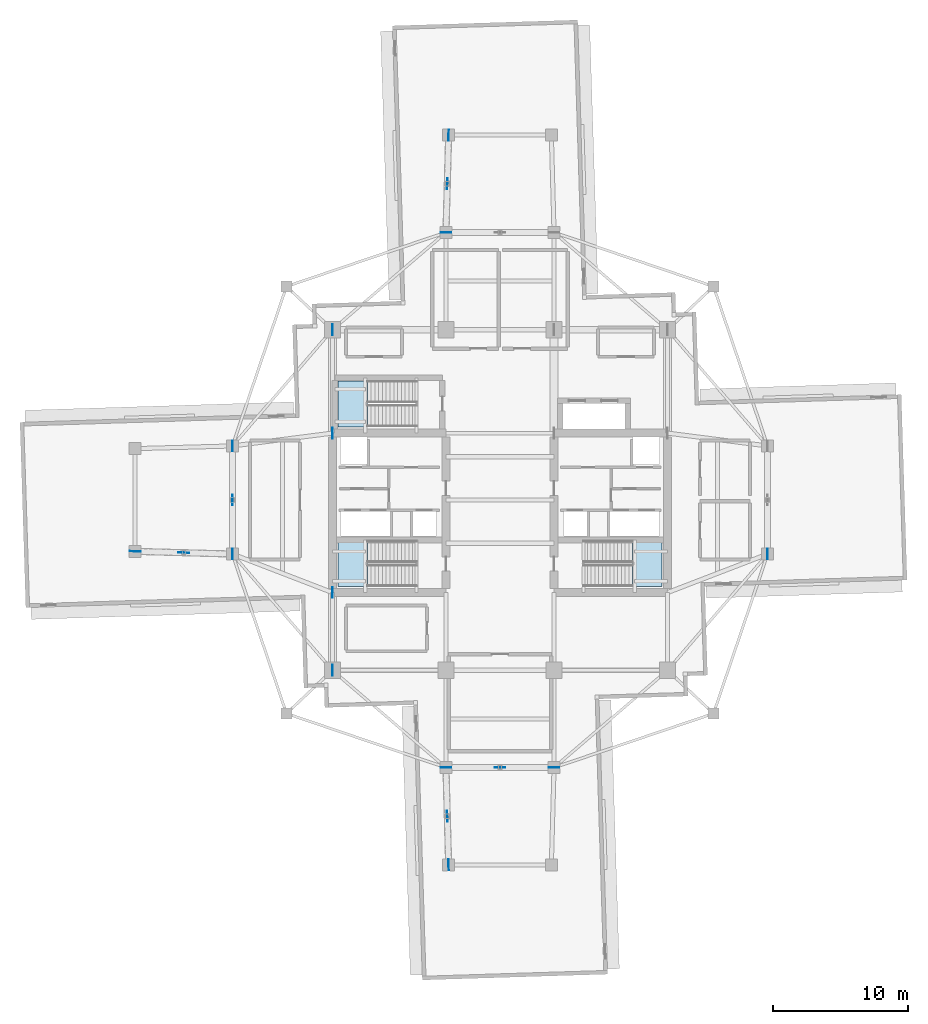
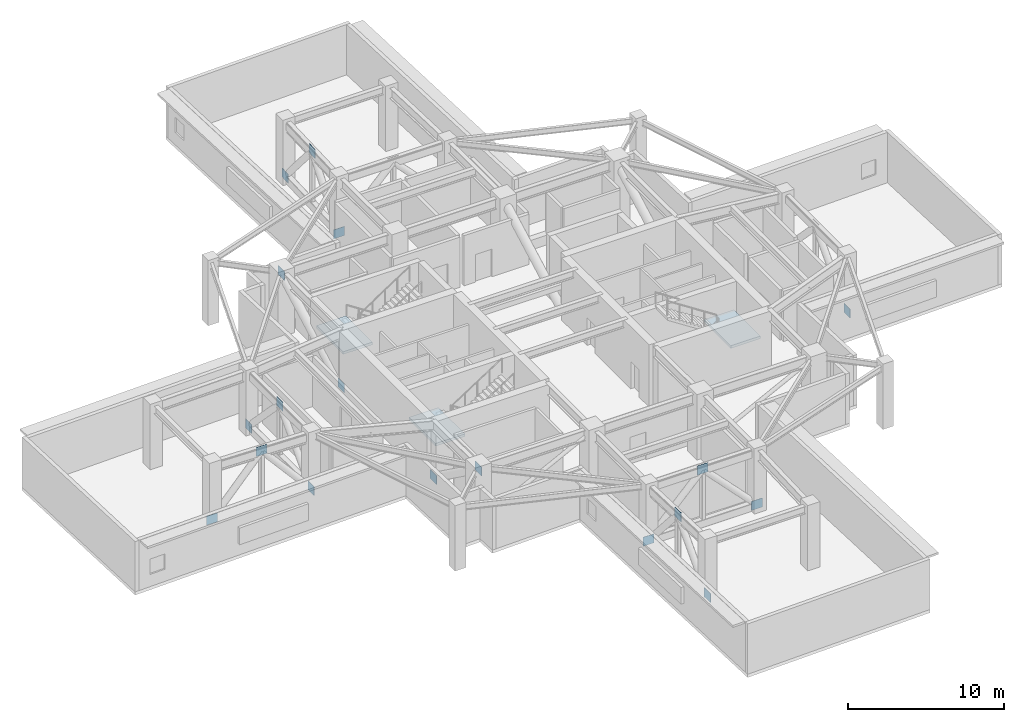
# One storey, part 6 of 17: 18 plates, 3 slabs, 3 elements without a shape of their own.
"""IFC4 building model written with IfcOpenShell, lengths in metres."""

from ifc_helpers import new_model, si_unit, direction, frame, origin, origin_2d, place, context, subcontext, project, spatial, polyline, rectangle, outline, extrude, material, layer, layer_set, type_object, element, aggregate, save


model = new_model("IFC4")

# Units and contexts
model_context = context("Model", 3, precision=1e-05, world=origin(), true_north=direction((0.0, 1.0)))
body_context = subcontext(model_context, "Body", "Model", "MODEL_VIEW")
ifc_project = project(units=[si_unit("LENGTHUNIT", "METRE"), si_unit("AREAUNIT", "SQUARE_METRE"), si_unit("VOLUMEUNIT", "CUBIC_METRE"), si_unit("PLANEANGLEUNIT", "RADIAN"), si_unit("MASSUNIT", "GRAM", prefix="KILO")], contexts=[model_context])

# Site, building, storey
site_placement = place(None, origin())
site = spatial("IfcSite", under=ifc_project, at=site_placement, CompositionType="ELEMENT")
building_placement = place(site_placement, origin())
building = spatial("IfcBuilding", under=site, at=building_placement, Name="Qingluan Cross Belvedere", CompositionType="ELEMENT")
storey_placement = place(building_placement, frame((0.0, 0.0, 191.699951171875)))
storey = spatial("IfcBuildingStorey", under=building, at=storey_placement, Name="L48", CompositionType="ELEMENT", Elevation=191.699951171875)

# Plates
ifc_material_1 = material(Name="Steel Q420GJB", Category="steel")
ifc_layer_1 = layer(ifc_material_1, 0.031982421875, Name="GussetPlate_32")
ifc_layer_set_1 = layer_set([ifc_layer_1], Name="Steel Q420GJB")
plate_type = type_object("IfcPlateType", Name="GussetPlate_32", PredefinedType="SHEET", material=ifc_layer_set_1)
for number, where, z_axis, x_axis, name in (
    (1, (19.800048828125, -4.0, 0.0), (0.0, 0.0, 1.0), (0.0, 1.0, 0.0), "Belt truss gusset node plate L48-E-A"),
    (2, (-19.800048828125, 0.0, 4.14990234375), (0.0, 0.0, 1.0), (0.0, 1.0, 0.0), "Belt truss gusset node plate L48-W-M"),
    (3, (-19.800048828125, 4.0, 0.0), (0.0, 0.0, 1.0), (0.0, 1.0, 0.0), "Belt truss gusset node plate L48-W-B"),
    (4, (-19.800048828125, -4.0, 0.0), (0.0, 0.0, 1.0), (0.0, 1.0, 0.0), "Belt truss gusset node plate L48-W-A"),
    (5, (-4.0, 19.800048828125, 0.0), (0.0, 0.0, 1.0), (1.0, 0.0, 0.0), "Belt truss gusset node plate L48-N-A"),
    (6, (0.0, -19.800048828125, 4.14990234375), (0.0, 0.0, 1.0), (1.0, 0.0, 0.0), "Belt truss gusset node plate L48-S-M"),
    (7, (4.0, -19.800048828125, 0.0), (0.0, 0.0, 1.0), (1.0, 0.0, 0.0), "Belt truss gusset node plate L48-S-B"),
    (8, (-4.0, -19.800048828125, 0.0), (0.0, 0.0, 1.0), (1.0, 0.0, 0.0), "Belt truss gusset node plate L48-S-A"),
    (9, (-23.39990234375, -3.89990234375, 4.14990234375), (0.0, 0.0, 1.0), (-0.999614420653, 0.027767067237, 0.0), "Belt truss gusset node plate L48-WW-M"),
    (10, (-27.0, -3.800048828125, 0.0), (0.0, 0.0, 1.0), (-0.999614420653, 0.027767067237, 0.0), "Belt truss gusset node plate L48-WW-B"),
    (11, (-3.89990234375, -23.39990234375, 4.14990234375), (0.0, 0.0, 1.0), (0.027767067237, -0.999614420653, 0.0), "Belt truss gusset node plate L48-SS-M"),
    (12, (-3.800048828125, -27.0, 0.0), (0.0, 0.0, 1.0), (0.027767067237, -0.999614420653, 0.0), "Belt truss gusset node plate L48-SS-B"),
    (13, (-3.89990234375, 23.39990234375, 4.14990234375), (0.0, 0.0, 1.0), (0.027767067237, 0.999614420653, 0.0), "Belt truss gusset node plate L48-NN-M"),
    (14, (-3.800048828125, 27.0, 0.0), (0.0, 0.0, 1.0), (0.027767067237, 0.999614420653, 0.0), "Belt truss gusset node plate L48-NN-B"),
    (15, (-12.39990234375, 4.949951171875, 0.0), (0.0, 0.0, 1.0), (0.0, 1.0, 0.0), "Outrigger end connection plate L48-OWN-BOT"),
    (16, (-12.39990234375, 12.60009765625, 4.14990234375), (0.0, 0.0, 1.0), (0.0, 1.0, 0.0), "Outrigger end connection plate L48-OWN-TOP"),
    (17, (-12.39990234375, -6.85009765625, 0.0), (0.0, 0.0, 1.0), (0.0, 1.0, 0.0), "Outrigger end connection plate L48-OWS-BOT"),
    (18, (-12.39990234375, -12.60009765625, 4.14990234375), (0.0, 0.0, 1.0), (0.0, 1.0, 0.0), "Outrigger end connection plate L48-OWS-TOP"),
):
    element("IfcPlate", number, at=place(storey_placement, frame(where, z_axis=z_axis, x_axis=x_axis)), inside=storey, type_object=plate_type, Name=name, PredefinedType="SHEET", context=body_context, shape_type="SweptSolid", body=[
        extrude(rectangle(XDim=0.800048828125, YDim=0.031982421875, at=origin_2d()), origin(), (0.0, 0.0, 1.0), 0.699951171875),
    ])

# Stair, slab
ifc_material_2 = material(Name="Concrete C40", Category="concrete")
stair_type = type_object("IfcStairType", Name="CoreDoglegStair_1620", PredefinedType="HALF_TURN_STAIR", material=ifc_material_2)
stair_1_placement = place(storey_placement, origin())
stair_1 = element("IfcStair", 19, at=stair_1_placement, inside=storey, type_object=stair_type, Name="L48 ST1", PredefinedType="HALF_TURN_STAIR")
ifc_material_3 = material(Name="Concrete C40", Category="concrete")
ifc_layer_2 = layer(ifc_material_3, 0.179931640625, Name="StairLandingSlab_180")
ifc_layer_set_2 = layer_set([ifc_layer_2], Name="Concrete C40")
slab_type = type_object("IfcSlabType", Name="StairLandingSlab_180", PredefinedType="LANDING", material=ifc_layer_set_2)
slab_1_placement = place(storey_placement, frame((0.0, 0.0, 2.35009765625)))
slab_1 = element("IfcSlab", 20, at=slab_1_placement, type_object=slab_type, Name="ST1 landing 1", PredefinedType="LANDING", context=body_context, shape_type="SweptSolid", body=[
    extrude(outline(polyline([(-9.820068359375, -3.0), (-12.0, -3.0), (-12.0, -6.39990234375), (-9.820068359375, -6.39990234375), (-9.820068359375, -3.0)])), origin(), (0.0, 0.0, 1.0), 0.199951171875),
])
aggregate(stair_1, [slab_1])

stair_2_placement = place(storey_placement, origin())
stair_2 = element("IfcStair", 21, at=stair_2_placement, inside=storey, type_object=stair_type, Name="L48 ST2", PredefinedType="HALF_TURN_STAIR")
slab_2_placement = place(storey_placement, frame((0.0, 0.0, 2.35009765625)))
slab_2 = element("IfcSlab", 22, at=slab_2_placement, type_object=slab_type, Name="ST2 landing 1", PredefinedType="LANDING", context=body_context, shape_type="SweptSolid", body=[
    extrude(outline(polyline([(9.820068359375, -6.39990234375), (12.0, -6.39990234375), (12.0, -3.0), (9.820068359375, -3.0), (9.820068359375, -6.39990234375)])), origin(), (0.0, 0.0, 1.0), 0.199951171875),
])
aggregate(stair_2, [slab_2])

stair_3_placement = place(storey_placement, origin())
stair_3 = element("IfcStair", 23, at=stair_3_placement, inside=storey, type_object=stair_type, Name="L48 ST3", PredefinedType="HALF_TURN_STAIR")
slab_3_placement = place(storey_placement, frame((0.0, 0.0, 2.35009765625)))
slab_3 = element("IfcSlab", 24, at=slab_3_placement, type_object=slab_type, Name="ST3 landing 1", PredefinedType="LANDING", context=body_context, shape_type="SweptSolid", body=[
    extrude(outline(polyline([(-9.820068359375, 8.820068359375), (-12.0, 8.820068359375), (-12.0, 5.419921875), (-9.820068359375, 5.419921875), (-9.820068359375, 8.820068359375)])), origin(), (0.0, 0.0, 1.0), 0.199951171875),
])
aggregate(stair_3, [slab_3])

save(model, "model.ifc")
